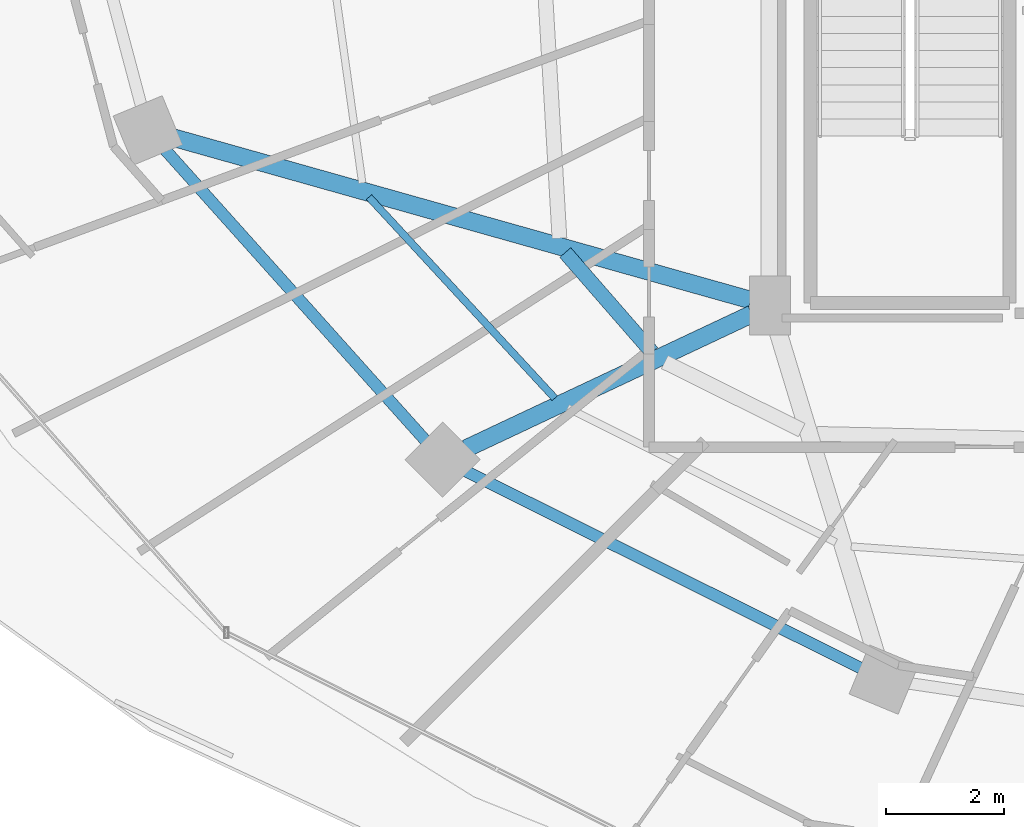
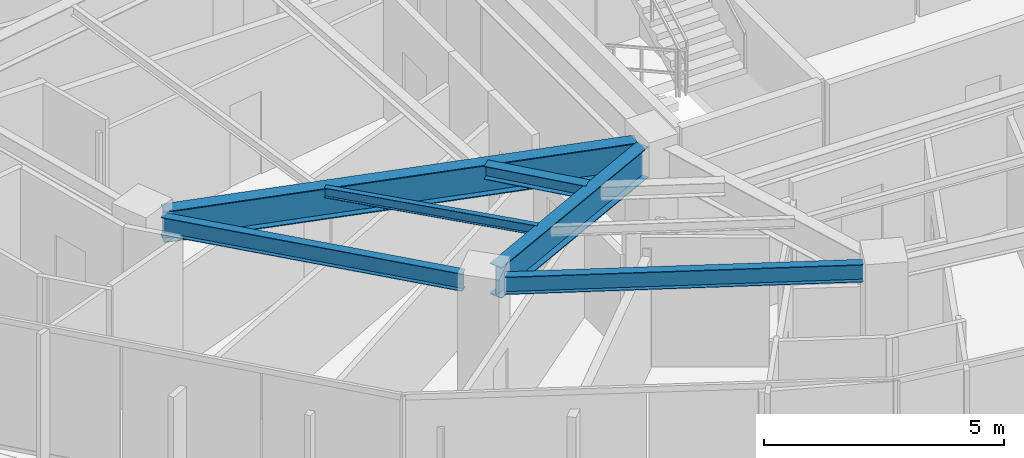
# One storey, part 4 of 32: 6 beams.
"""IFC4 building model written with IfcOpenShell, lengths in metres."""

from ifc_helpers import new_model, si_unit, direction, frame, origin, origin_2d, place, context, subcontext, project, spatial, i_section, extrude, material, material_profile, profile_set, type_object, element, save


model = new_model("IFC4")

# Units and contexts
model_context = context("Model", 3, precision=1e-05, world=origin(), true_north=direction((0.0, 1.0)))
body_context = subcontext(model_context, "Body", "Model", "MODEL_VIEW")
ifc_project = project(units=[si_unit("LENGTHUNIT", "METRE"), si_unit("AREAUNIT", "SQUARE_METRE"), si_unit("VOLUMEUNIT", "CUBIC_METRE"), si_unit("PLANEANGLEUNIT", "RADIAN"), si_unit("MASSUNIT", "GRAM", prefix="KILO")], contexts=[model_context])

# Site, building, storey
site_placement = place(None, origin())
site = spatial("IfcSite", under=ifc_project, at=site_placement, CompositionType="ELEMENT")
building_placement = place(site_placement, origin())
building = spatial("IfcBuilding", under=site, at=building_placement, Name="Vorneva Point Tower", CompositionType="ELEMENT")
storey_placement = place(building_placement, frame((0.0, 0.0, 207.199951171875)))
storey = spatial("IfcBuildingStorey", under=building, at=storey_placement, Name="L56", CompositionType="ELEMENT", Elevation=207.199951171875)

# Beams
ifc_material = material(Name="Steel S355", Category="steel")
ifc_material_profile_1 = material_profile(ifc_material, i_section(OverallWidth=0.300048828125, OverallDepth=0.7880859375, WebThickness=0.014404296875, FlangeThickness=0.02197265625, at=origin_2d()), Name="80Sh1")
ifc_profile_set_1 = profile_set([ifc_material_profile_1], Name="Steel S355")
beam_type_1 = type_object("IfcBeamType", Name="BM-GRD-80Sh1", PredefinedType="USERDEFINED", material=ifc_profile_set_1)
beam_1_placement = place(storey_placement, frame((17.126220703125, 19.299072265625, 2.89599609375), z_axis=(0.962603641144, -0.270913694847, 0.0), x_axis=(0.270913694847, 0.962603641144, 0.0)))
element("IfcBeam", 1, at=beam_1_placement, inside=storey, type_object=beam_type_1, Name="L56 Radial Primary Girder 10", ObjectType="GIRDER", PredefinedType="USERDEFINED", context=body_context, shape_type="SweptSolid", body=[
    extrude(i_section(OverallWidth=0.300048828125, OverallDepth=0.7880859375, WebThickness=0.014404296875, FlangeThickness=0.02197265625, at=origin_2d()), origin(), (0.0, 0.0, 1.0), 10.177001953125),
])
beam_2_placement = place(storey_placement, frame((22.097412109375, 14.0244140625, 2.89599609375), z_axis=(0.904762899762, 0.42591559635, 0.0), x_axis=(-0.42591559635, 0.904762899762, 0.0)))
element("IfcBeam", 2, at=beam_2_placement, inside=storey, type_object=beam_type_1, Name="L56 Radial Primary Girder 11", ObjectType="GIRDER", PredefinedType="USERDEFINED", context=body_context, shape_type="SweptSolid", body=[
    extrude(i_section(OverallWidth=0.300048828125, OverallDepth=0.7880859375, WebThickness=0.014404296875, FlangeThickness=0.02197265625, at=origin_2d()), origin(), (0.0, 0.0, 1.0), 5.35498046875),
])
ifc_material_profile_2 = material_profile(ifc_material, i_section(OverallWidth=0.1240234375, OverallDepth=0.248046875, WebThickness=0.0048828125, FlangeThickness=0.008056640625, at=origin_2d()), Name="25B1")
ifc_profile_set_2 = profile_set([ifc_material_profile_2], Name="Steel S355")
beam_type_2 = type_object("IfcBeamType", Name="BM-JST-25B1", PredefinedType="JOIST", material=ifc_profile_set_2)
beam_3_placement = place(storey_placement, frame((20.45263671875, 18.287841796875, 3.166015625), z_axis=(0.678627352567, -0.734482754289, 0.0), x_axis=(0.734482754289, 0.678627352567, 0.0)))
element("IfcBeam", 3, at=beam_3_placement, inside=storey, type_object=beam_type_2, Name="L56 Secondary Floor Beam 1.10", PredefinedType="JOIST", context=body_context, shape_type="SweptSolid", body=[
    extrude(i_section(OverallWidth=0.1240234375, OverallDepth=0.248046875, WebThickness=0.0048828125, FlangeThickness=0.008056640625, at=origin_2d()), origin(), (0.0, 0.0, 1.0), 4.641845703125),
])
ifc_material_profile_3 = material_profile(ifc_material, i_section(OverallWidth=0.2490234375, OverallDepth=0.333984375, WebThickness=0.008056640625, FlangeThickness=0.010986328125, at=origin_2d()), Name="35Sh1")
ifc_profile_set_3 = profile_set([ifc_material_profile_3], Name="Steel S355")
beam_type_3 = type_object("IfcBeamType", Name="BM-SEC-35Sh1", PredefinedType="BEAM", material=ifc_profile_set_3)
beam_4_placement = place(storey_placement, frame((23.780517578125, 17.347900390625, 3.123046875), z_axis=(0.656591007915, -0.754246808628, 0.0), x_axis=(0.754246808628, 0.656591007915, 0.0)))
element("IfcBeam", 4, at=beam_4_placement, inside=storey, type_object=beam_type_3, Name="L56 Secondary Floor Beam 2.10", PredefinedType="BEAM", context=body_context, shape_type="SweptSolid", body=[
    extrude(i_section(OverallWidth=0.2490234375, OverallDepth=0.333984375, WebThickness=0.008056640625, FlangeThickness=0.010986328125, at=origin_2d()), origin(), (0.0, 0.0, 1.0), 2.242431640625),
])
ifc_material_profile_4 = material_profile(ifc_material, i_section(OverallWidth=0.198974609375, OverallDepth=0.446044921875, WebThickness=0.008056640625, FlangeThickness=0.011962890625, at=origin_2d()), Name="45B1")
ifc_profile_set_4 = profile_set([ifc_material_profile_4], Name="Steel S355")
beam_type_4 = type_object("IfcBeamType", Name="BM-SPN-45B1", PredefinedType="SPANDREL", material=ifc_profile_set_4)
beam_5_placement = place(storey_placement, frame((16.994873046875, 19.09375, 3.067138671875), z_axis=(0.66706970547, -0.744995307397, 0.0), x_axis=(0.744995307397, 0.66706970547, 0.0)))
element("IfcBeam", 5, at=beam_5_placement, inside=storey, type_object=beam_type_4, Name="L56 Perimeter Spandrel Ring Beam 10", PredefinedType="SPANDREL", context=body_context, shape_type="SweptSolid", body=[
    extrude(i_section(OverallWidth=0.198974609375, OverallDepth=0.446044921875, WebThickness=0.008056640625, FlangeThickness=0.011962890625, at=origin_2d()), origin(), (0.0, 0.0, 1.0), 6.6201171875),
])
beam_6_placement = place(storey_placement, frame((22.090576171875, 13.643798828125, 3.067138671875), z_axis=(0.894922371084, -0.446221861559, 0.0), x_axis=(0.446221861559, 0.894922371084, 0.0)))
element("IfcBeam", 6, at=beam_6_placement, inside=storey, type_object=beam_type_4, Name="L56 Perimeter Spandrel Ring Beam 11", PredefinedType="SPANDREL", context=body_context, shape_type="SweptSolid", body=[
    extrude(i_section(OverallWidth=0.198974609375, OverallDepth=0.446044921875, WebThickness=0.008056640625, FlangeThickness=0.011962890625, at=origin_2d()), origin(), (0.0, 0.0, 1.0), 7.48583984375),
])

save(model, "model.ifc")
